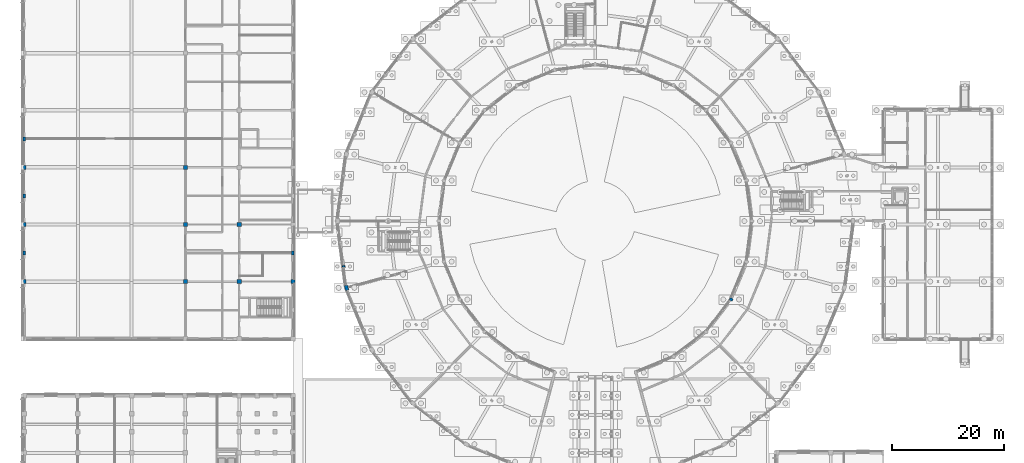
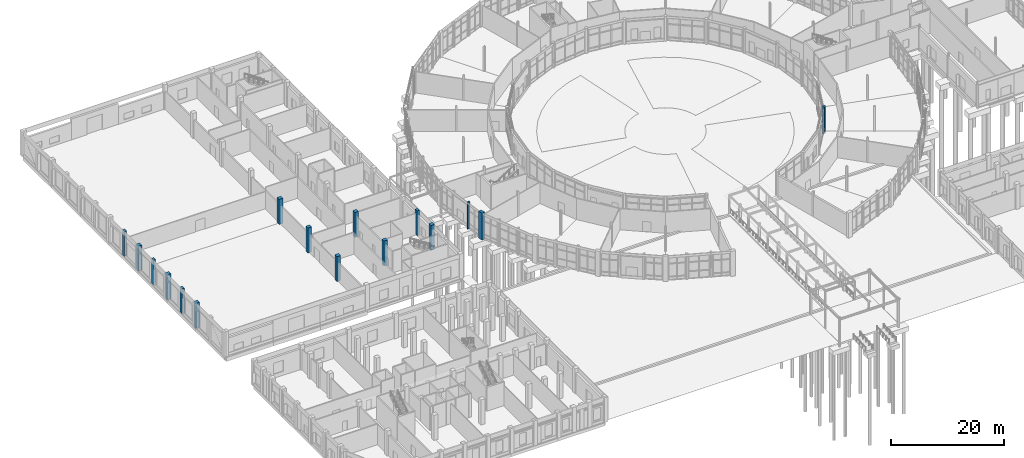
# One storey, part 12 of 137: 16 columns.
"""IFC4 building model written with IfcOpenShell, lengths in metres."""

import ifcopenshell
import ifcopenshell.guid

model = None  # the IFC model being written
_history = None  # IfcOwnerHistory: only IFC2X3 demands one
_inside = {}  # id of a spatial element -> (the spatial element, [elements in it])
_under = {}  # id of a project, library or spatial element -> (it, [spatial elements below it])
_declared = {}  # id of a project -> (the project, [libraries it declares])
_typed = {}  # id of a type object -> (the type object, [elements of that type])
_made_of = {}  # id of a material, layer set ... -> (it, [elements and type objects made of it])


def new_model(schema):
    """Start an empty IFC model of exactly this schema.

    Asked for "IFC4X3", IfcOpenShell would pick the latest addendum, in which some entities
    have other attributes; the version numbers below select the first issue.
    IFC2X3 requires an IfcOwnerHistory on every rooted entity: one is made here for all.
    """
    global model, _history
    if schema == "IFC4X3":
        model = ifcopenshell.file(schema_version=(4, 3, 0, 0))
    else:
        model = ifcopenshell.file(schema=schema)
    _inside.clear()
    _under.clear()
    _declared.clear()
    _typed.clear()
    _made_of.clear()
    _history = None
    if model.schema == "IFC2X3":
        org = make("IfcOrganization", Name="unknown")
        user = make(
            "IfcPersonAndOrganization",
            ThePerson=make("IfcPerson", FamilyName="unknown"),
            TheOrganization=org,
        )
        app = make(
            "IfcApplication",
            ApplicationDeveloper=org,
            Version="unknown",
            ApplicationFullName="unknown",
            ApplicationIdentifier="unknown",
        )
        _history = make(
            "IfcOwnerHistory",
            OwningUser=user,
            OwningApplication=app,
            ChangeAction="ADDED",
            CreationDate=0,
        )
    return model


def make(cls, **values):
    """One entity of the class cls with the attributes given. An attribute that is None is left unset."""
    return model.create_entity(
        cls, **{name: value for name, value in values.items() if value is not None}
    )


def rooted(cls, **values):
    """An entity with a GlobalId (a new one), such as an element, a storey or a relation."""
    return make(cls, GlobalId=ifcopenshell.guid.new(), OwnerHistory=_history, **values)


def si_unit(unit_type, name, prefix=None):
    """IfcSIUnit, for example si_unit("LENGTHUNIT", "METRE", prefix="MILLI")."""
    return make("IfcSIUnit", UnitType=unit_type, Prefix=prefix, Name=name)


def assignment(units):
    """IfcUnitAssignment: the units of a project."""
    return None if units is None else make("IfcUnitAssignment", Units=units)


def point(xyz):
    """IfcCartesianPoint."""
    return None if xyz is None else make("IfcCartesianPoint", Coordinates=xyz)


def direction(xyz):
    """IfcDirection."""
    return None if xyz is None else make("IfcDirection", DirectionRatios=xyz)


def frame(location, z_axis=None, x_axis=None):
    """IfcAxis2Placement3D, a coordinate frame: its origin and axes. An axis left out is left unset."""
    return make(
        "IfcAxis2Placement3D",
        Location=point(location),
        Axis=direction(z_axis),
        RefDirection=direction(x_axis),
    )


def frame_2d(location, x_axis=None):
    """IfcAxis2Placement2D, a coordinate frame in the plane: its origin and x axis."""
    return make(
        "IfcAxis2Placement2D", Location=point(location), RefDirection=direction(x_axis)
    )


def origin():
    """The frame at (0, 0, 0) with its axes left unset."""
    return frame((0.0, 0.0, 0.0))


def origin_2d():
    """The frame at (0, 0) in the plane with its x axis left unset."""
    return frame_2d((0.0, 0.0))


def place(relative_to, where):
    """IfcLocalPlacement: puts the frame where relative to a parent placement (None: the world)."""
    return make(
        "IfcLocalPlacement", PlacementRelTo=relative_to, RelativePlacement=where
    )


def context(
    kind, dimensions, precision=None, world=None, true_north=None, identifier=None
):
    """IfcGeometricRepresentationContext, for example the 3D "Model" context."""
    return make(
        "IfcGeometricRepresentationContext",
        ContextIdentifier=identifier,
        ContextType=kind,
        CoordinateSpaceDimension=dimensions,
        Precision=precision,
        WorldCoordinateSystem=world,
        TrueNorth=true_north,
    )


def subcontext(parent, identifier, kind, view, scale=None):
    """IfcGeometricRepresentationSubContext, for example "Body" below "Model"."""
    return make(
        "IfcGeometricRepresentationSubContext",
        ContextIdentifier=identifier,
        ContextType=kind,
        ParentContext=parent,
        TargetScale=scale,
        TargetView=view,
    )


def project(units=None, contexts=None):
    """IfcProject with its units and contexts."""
    return rooted(
        "IfcProject",
        Name="project",
        RepresentationContexts=contexts,
        UnitsInContext=assignment(units),
    )


def spatial(cls, under=None, at=None, **own):
    """A site, building, storey or space (cls), placed at a placement, below another one or the project."""
    s = rooted(cls, ObjectPlacement=at, **own)
    if under is not None:
        _under.setdefault(under.id(), (under, []))[1].append(s)
    return s


def profile(cls, at=None, kind="AREA", **sizes):
    """A parametric profile (cls). Its sizes go by their IFC names, for example OverallWidth=200.0."""
    return make(cls, ProfileType=kind, Position=at, **sizes)


def rectangle(**sizes):
    """IfcRectangleProfileDef."""
    return profile("IfcRectangleProfileDef", **sizes)


def circle(**sizes):
    """IfcCircleProfileDef."""
    return profile("IfcCircleProfileDef", **sizes)


def extrude(swept, where, along, depth):
    """IfcExtrudedAreaSolid: the profile swept, set in the frame where, extruded along a direction by depth."""
    return make(
        "IfcExtrudedAreaSolid",
        SweptArea=swept,
        Position=where,
        ExtrudedDirection=direction(along),
        Depth=depth,
    )


def shape(context_of_items, identifier, shape_type, items):
    """IfcShapeRepresentation: the items that make up one representation, for example the "Body"."""
    return make(
        "IfcShapeRepresentation",
        ContextOfItems=context_of_items,
        RepresentationIdentifier=identifier,
        RepresentationType=shape_type,
        Items=items,
    )


def material(Name=None, Category=None):
    """IfcMaterial."""
    return make("IfcMaterial", Name=Name, Category=Category)


def material_profile(
    of_material, cross_section, Name=None, Category=None, Priority=None
):
    """IfcMaterialProfile: a cross section and its material."""
    return make(
        "IfcMaterialProfile",
        Name=Name,
        Material=of_material,
        Profile=cross_section,
        Priority=Priority,
        Category=Category,
    )


def profile_set(profiles, Name=None, composite=None):
    """IfcMaterialProfileSet."""
    return make(
        "IfcMaterialProfileSet",
        Name=Name,
        MaterialProfiles=profiles,
        CompositeProfile=composite,
    )


def made_of(thing, what):
    """Note that an element or type object is made of a material, layer set ...; save() writes the relation."""
    if what is not None:
        _made_of.setdefault(what.id(), (what, []))[1].append(thing)
    return thing


def type_object(cls, material=None, **own):
    """A type object (cls), such as IfcWallType, which elements share."""
    return made_of(rooted(cls, **own), material)


def element(
    cls,
    number,
    at=None,
    inside=None,
    cuts=None,
    type_object=None,
    material=None,
    context=None,
    identifier="Body",
    shape_type=None,
    held_by="IfcProductDefinitionShape",
    body=None,
    shapes=None,
    **own,
):
    """One element of the class cls, such as IfcWall. Its Tag is "e" and its number.

    at: its placement. inside: the storey or other place that contains it. cuts: it is an
    opening in that element (IfcRelVoidsElement). A single representation is given by context,
    identifier, shape_type and body (its items); several are given by shapes. held_by: the class
    of the entity that holds the representations. save() writes the other relations.
    """
    e = rooted(cls, Tag="e%d" % number, ObjectPlacement=at, **own)
    if body is not None:
        shapes = [shape(context, identifier, shape_type, body)]
    if shapes is not None:
        e.Representation = make(held_by, Representations=shapes)
    if inside is not None:
        _inside.setdefault(inside.id(), (inside, []))[1].append(e)
    if cuts is not None:
        rooted(
            "IfcRelVoidsElement", RelatingBuildingElement=cuts, RelatedOpeningElement=e
        )
    if type_object is not None:
        _typed.setdefault(type_object.id(), (type_object, []))[1].append(e)
    return made_of(e, material)


def aggregate(whole, parts):
    """IfcRelAggregates: a whole, such as a stair, and the parts it consists of."""
    return rooted("IfcRelAggregates", RelatingObject=whole, RelatedObjects=parts)


def save(model, path):
    """Write the relations noted so far, then the file.

    IfcRelAggregates (storeys below a building ...), IfcRelContainedInSpatialStructure (elements
    in a storey), IfcRelDefinesByType, IfcRelAssociatesMaterial and IfcRelDeclares: one each for
    every whole, place, type object, material and project.
    """
    for whole, parts in _under.values():
        aggregate(whole, parts)
    for where, things in _inside.values():
        rooted(
            "IfcRelContainedInSpatialStructure",
            RelatedElements=things,
            RelatingStructure=where,
        )
    for kind, things in _typed.values():
        rooted("IfcRelDefinesByType", RelatedObjects=things, RelatingType=kind)
    for what, things in _made_of.values():
        rooted("IfcRelAssociatesMaterial", RelatedObjects=things, RelatingMaterial=what)
    for by, libraries in _declared.values():
        rooted("IfcRelDeclares", RelatingContext=by, RelatedDefinitions=libraries)
    model.write(path)


model = new_model("IFC4")

# Units and contexts
model_context = context("Model", 3, precision=1e-05, world=origin(), true_north=direction((0.0, 1.0)))
body_context = subcontext(model_context, "Body", "Model", "MODEL_VIEW")
ifc_project = project(units=[si_unit("LENGTHUNIT", "METRE"), si_unit("AREAUNIT", "SQUARE_METRE"), si_unit("VOLUMEUNIT", "CUBIC_METRE"), si_unit("PLANEANGLEUNIT", "RADIAN"), si_unit("MASSUNIT", "GRAM", prefix="KILO")], contexts=[model_context])

# Site, building, storey
site_placement = place(None, origin())
site = spatial("IfcSite", under=ifc_project, at=site_placement, CompositionType="ELEMENT")
building_placement = place(site_placement, origin())
building = spatial("IfcBuilding", under=site, at=building_placement, Name="Vondelvale Polytechnic", CompositionType="ELEMENT")
storey_placement = place(building_placement, origin())
storey = spatial("IfcBuildingStorey", under=building, at=storey_placement, Name="L00", CompositionType="ELEMENT", Elevation=0.0)

# Columns
ifc_material_1 = material(Name="Glulam GL18 structural Tasmanian oak (fb = 42 MPa)", Category="wood")
ifc_material_profile_1 = material_profile(ifc_material_1, rectangle(XDim=0.300048828125, YDim=0.449951171875, at=origin_2d()), Name="GL-POST-300x450")
ifc_profile_set_1 = profile_set([ifc_material_profile_1], Name="Glulam GL18 structural Tasmanian oak (fb = 42 MPa)")
column_type_1 = type_object("IfcColumnType", Name="COL-GLULAM-300x450", PredefinedType="PILASTER", material=ifc_profile_set_1)
column_1_placement = place(storey_placement, frame((57.06591796875, 63.904052734375, -0.39990234375), z_axis=(0.0, 0.0, 1.0), x_axis=(-0.13052619222, 0.991444861374, 0.0)))
element("IfcColumn", 1, at=column_1_placement, inside=storey, type_object=column_type_1, Name="L00 ring outer glulam timber post C12-P2", PredefinedType="PILASTER", context=body_context, shape_type="SweptSolid", body=[
    extrude(rectangle(XDim=0.300048828125, YDim=0.449951171875, at=origin_2d()), origin(), (0.0, 0.0, 1.0), 5.7998046875),
])
ifc_material_2 = material(Name="Concrete N50 (f'c = 50 MPa)", Category="concrete")
ifc_material_profile_2 = material_profile(ifc_material_2, rectangle(XDim=0.75, YDim=0.75, at=origin_2d()), Name="RC-COL-750x750")
ifc_profile_set_2 = profile_set([ifc_material_profile_2], Name="Concrete N50 (f'c = 50 MPa)")
column_type_2 = type_object("IfcColumnType", Name="COL-RC750", PredefinedType="COLUMN", material=ifc_profile_set_2)
for number, where, z_axis, x_axis, name in (
    (2, (0.0, 61.199951171875, 0.0), (0.0, 0.0, 1.0), (1.0, 0.0, 0.0), "L00 workshop column (0.0,61.2)"),
    (3, (28.800048828125, 61.199951171875, 0.0), (0.0, 0.0, 1.0), (1.0, 0.0, 0.0), "L00 workshop column (28.8,61.2)"),
    (4, (38.39990234375, 61.199951171875, 0.0), (0.0, 0.0, 1.0), (1.0, 0.0, 0.0), "L00 workshop column (38.4,61.2)"),
    (5, (48.0, 61.199951171875, 0.0), (0.0, 0.0, 1.0), (1.0, 0.0, 0.0), "L00 workshop column (48.0,61.2)"),
    (6, (0.0, 71.39990234375, 0.0), (0.0, 0.0, 1.0), (1.0, 0.0, 0.0), "L00 workshop column (0.0,71.4)"),
    (7, (28.800048828125, 71.39990234375, 0.0), (0.0, 0.0, 1.0), (1.0, 0.0, 0.0), "L00 workshop column (28.8,71.4)"),
    (8, (38.39990234375, 71.39990234375, 0.0), (0.0, 0.0, 1.0), (1.0, 0.0, 0.0), "L00 workshop column (38.4,71.4)"),
    (9, (0.0, 81.60009765625, 0.0), (0.0, 0.0, 1.0), (1.0, 0.0, 0.0), "L00 workshop column (0.0,81.6)"),
    (10, (28.800048828125, 81.60009765625, 0.0), (0.0, 0.0, 1.0), (1.0, 0.0, 0.0), "L00 workshop column (28.8,81.6)"),
):
    element("IfcColumn", number, at=place(storey_placement, frame(where, z_axis=z_axis, x_axis=x_axis)), inside=storey, type_object=column_type_2, Name=name, PredefinedType="COLUMN", context=body_context, shape_type="SweptSolid", body=[
        extrude(rectangle(XDim=0.75, YDim=0.75, at=origin_2d()), origin(), (0.0, 0.0, 1.0), 5.39990234375),
    ])
ifc_material_profile_3 = material_profile(ifc_material_2, rectangle(XDim=0.60009765625, YDim=0.89990234375, at=origin_2d()), Name="RC-COL-900x600")
ifc_profile_set_3 = profile_set([ifc_material_profile_3], Name="Concrete N50 (f'c = 50 MPa)")
column_type_3 = type_object("IfcColumnType", Name="COL-RC900x600", PredefinedType="COLUMN", material=ifc_profile_set_3)
column_2_placement = place(storey_placement, frame((57.5673828125, 60.09423828125, -0.39990234375), z_axis=(0.0, 0.0, 1.0), x_axis=(0.965925826289, 0.258819045103, 0.0)))
element("IfcColumn", 11, at=column_2_placement, inside=storey, type_object=column_type_3, Name="L00 courtyard ring column S13-RO", PredefinedType="COLUMN", context=body_context, shape_type="SweptSolid", body=[
    extrude(rectangle(XDim=0.60009765625, YDim=0.89990234375, at=origin_2d()), origin(), (0.0, 0.0, 1.0), 5.7998046875),
])
ifc_material_profile_4 = material_profile(ifc_material_2, circle(Radius=0.300048828125, at=origin_2d()), Name="RC-COL-D600")
ifc_profile_set_4 = profile_set([ifc_material_profile_4], Name="Concrete N50 (f'c = 50 MPa)")
column_type_4 = type_object("IfcColumnType", Name="COL-RCD600", PredefinedType="COLUMN", material=ifc_profile_set_4)
column_3_placement = place(storey_placement, frame((126.248779296875, 58.0, -0.39990234375), z_axis=(0.0, 0.0, 1.0), x_axis=(-0.866025403784, 0.5, 0.0)))
element("IfcColumn", 12, at=column_3_placement, inside=storey, type_object=column_type_4, Name="L00 courtyard ring column S22-RI", PredefinedType="COLUMN", context=body_context, shape_type="SweptSolid", body=[
    extrude(circle(Radius=0.300048828125, at=origin_2d()), origin(), (0.0, 0.0, 1.0), 5.7998046875),
])
ifc_material_profile_5 = material_profile(ifc_material_2, rectangle(XDim=0.449951171875, YDim=0.699951171875, at=origin_2d()), Name="RC-PIL-700x450")
ifc_profile_set_5 = profile_set([ifc_material_profile_5], Name="Concrete N50 (f'c = 50 MPa)")
column_type_5 = type_object("IfcColumnType", Name="PIL-RC700x450", PredefinedType="PILASTER", material=ifc_profile_set_5)
for number, where, z_axis, x_axis, name in (
    (13, (0.0, 66.300048828125, 0.0), (0.0, 0.0, 1.0), (1.0, 0.0, 0.0), "L00 West workshop brick pilaster 2"),
    (14, (48.0, 66.300048828125, 0.0), (0.0, 0.0, 1.0), (1.0, 0.0, 0.0), "L00 East workshop brick pilaster 2"),
    (15, (0.0, 76.5, 0.0), (0.0, 0.0, 1.0), (1.0, 0.0, 0.0), "L00 West workshop brick pilaster 3"),
    (16, (0.0, 86.699951171875, 0.0), (0.0, 0.0, 1.0), (1.0, 0.0, 0.0), "L00 West workshop brick pilaster 4"),
):
    element("IfcColumn", number, at=place(storey_placement, frame(where, z_axis=z_axis, x_axis=x_axis)), inside=storey, type_object=column_type_5, Name=name, PredefinedType="PILASTER", context=body_context, shape_type="SweptSolid", body=[
        extrude(rectangle(XDim=0.449951171875, YDim=0.699951171875, at=origin_2d()), origin(), (0.0, 0.0, 1.0), 5.39990234375),
    ])

save(model, "model.ifc")
